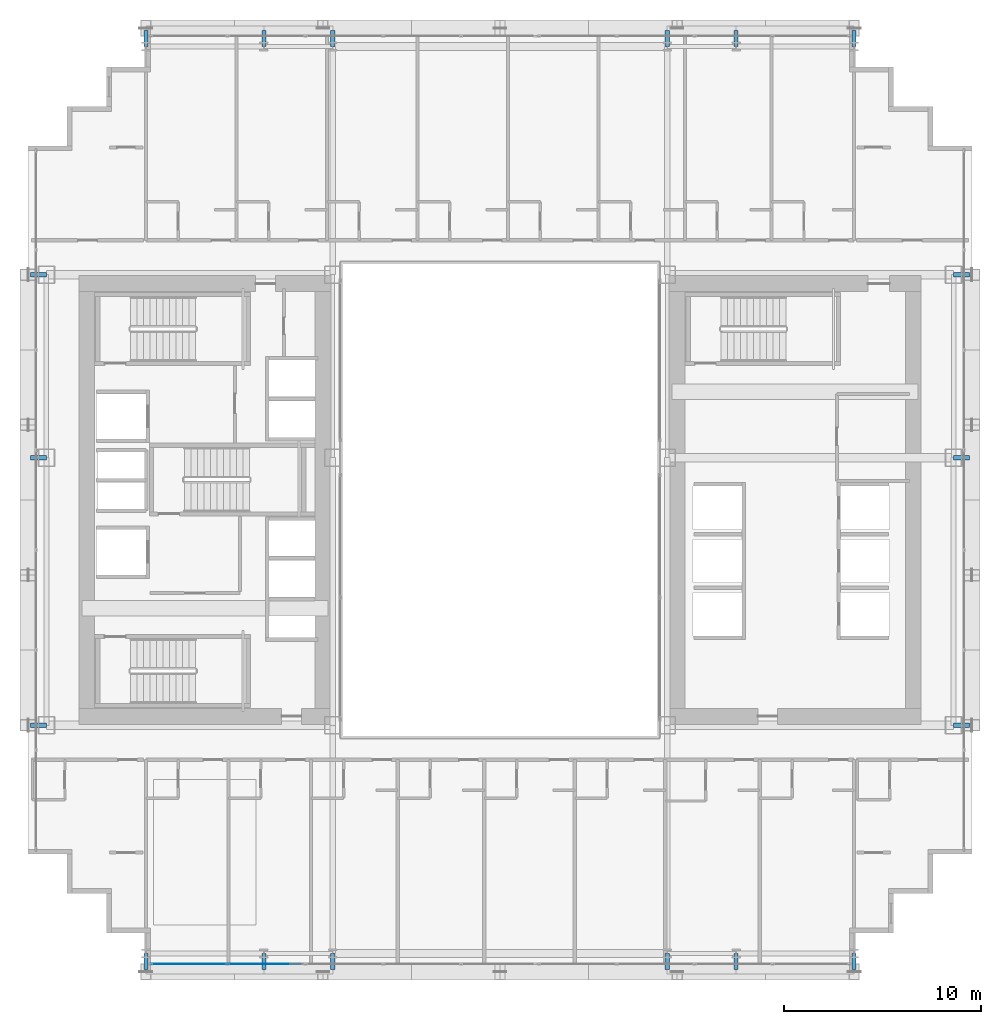
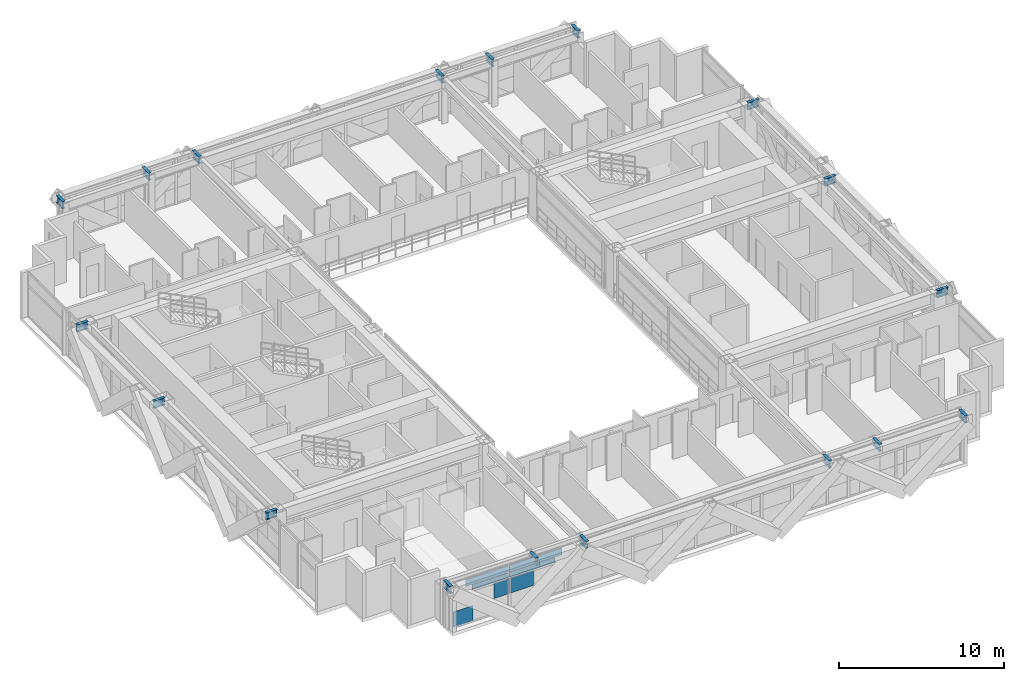
# One storey, part 26 of 41: 18 beams, 7 plates, 1 element without a shape of its own.
"""IFC4 building model written with IfcOpenShell, lengths in metres."""

from ifc_helpers import new_model, si_unit, direction, frame, origin, origin_2d, place, context, subcontext, project, spatial, rectangle, i_section, extrude, source, transform, mapped, material, layer, layer_set, material_profile, profile_set, type_object, element, aggregate, save


model = new_model("IFC4")

# Units and contexts
model_context = context("Model", 3, precision=1e-05, world=origin(), true_north=direction((0.0, 1.0)))
body_context = subcontext(model_context, "Body", "Model", "MODEL_VIEW")
ifc_project = project(units=[si_unit("LENGTHUNIT", "METRE"), si_unit("AREAUNIT", "SQUARE_METRE"), si_unit("VOLUMEUNIT", "CUBIC_METRE"), si_unit("PLANEANGLEUNIT", "RADIAN"), si_unit("MASSUNIT", "GRAM", prefix="KILO")], contexts=[model_context])

# Site, building, storey
site_placement = place(None, origin())
site = spatial("IfcSite", under=ifc_project, at=site_placement, CompositionType="ELEMENT")
building_placement = place(site_placement, origin())
building = spatial("IfcBuilding", under=site, at=building_placement, Name="Ocotamira Hotel", CompositionType="ELEMENT")
storey_placement = place(building_placement, frame((0.0, 0.0, 38.39990234375)))
storey = spatial("IfcBuildingStorey", under=building, at=storey_placement, Name="L08", CompositionType="ELEMENT", Elevation=38.39990234375)

# Beams
ifc_material_1 = material(Name="Steel ASTM A992 Grade 50", Category="steel")
ifc_material_profile = material_profile(ifc_material_1, i_section(OverallWidth=0.2099609375, OverallDepth=0.537109375, WebThickness=0.010986328125, FlangeThickness=0.017333984375, FilletRadius=0.012939453125, at=origin_2d()), Name="W21X68")
ifc_profile_set = profile_set([ifc_material_profile], Name="Steel ASTM A992 Grade 50")
beam_type = type_object("IfcBeamType", Name="BM-SEC-W21X68", PredefinedType="JOIST", material=ifc_profile_set)
shared_shape_1 = source(origin(), body_context, "Body", "SweptSolid", [
    extrude(i_section(OverallWidth=0.2099609375, OverallDepth=0.537109375, WebThickness=0.010986328125, FlangeThickness=0.017333984375, FilletRadius=0.012939453125, at=origin_2d()), origin(), (0.0, 0.0, 1.0), 0.800048828125),
])
for number, where, z_axis, x_axis, name in (
    (1, (14.0, 2.949951171875, 3.08154296875), (0.0, -1.0, 0.0), (1.0, 0.0, 0.0), "L08 South Edge Header X14"),
    (2, (14.0, 49.050048828125, 3.08154296875), (0.0, 1.0, 0.0), (-1.0, 0.0, 0.0), "L08 North Edge Header X14"),
    (3, (20.0, 2.949951171875, 3.08154296875), (0.0, -1.0, 0.0), (1.0, 0.0, 0.0), "L08 South Edge Header X20"),
    (4, (20.0, 49.050048828125, 3.08154296875), (0.0, 1.0, 0.0), (-1.0, 0.0, 0.0), "L08 North Edge Header X20"),
    (5, (23.5, 2.949951171875, 3.08154296875), (0.0, -1.0, 0.0), (1.0, 0.0, 0.0), "L08 South Edge Header X23.5"),
    (6, (23.5, 49.050048828125, 3.08154296875), (0.0, 1.0, 0.0), (-1.0, 0.0, 0.0), "L08 North Edge Header X23.5"),
    (7, (40.5, 2.949951171875, 3.08154296875), (0.0, -1.0, 0.0), (1.0, 0.0, 0.0), "L08 South Edge Header X40.5"),
    (8, (40.5, 49.050048828125, 3.08154296875), (0.0, 1.0, 0.0), (-1.0, 0.0, 0.0), "L08 North Edge Header X40.5"),
    (9, (44.0, 2.949951171875, 3.08154296875), (0.0, -1.0, 0.0), (1.0, 0.0, 0.0), "L08 South Edge Header X44"),
    (10, (44.0, 49.050048828125, 3.08154296875), (0.0, 1.0, 0.0), (-1.0, 0.0, 0.0), "L08 North Edge Header X44"),
    (11, (50.0, 2.949951171875, 3.08154296875), (0.0, -1.0, 0.0), (1.0, 0.0, 0.0), "L08 South Edge Header X50"),
    (12, (50.0, 49.050048828125, 3.08154296875), (0.0, 1.0, 0.0), (-1.0, 0.0, 0.0), "L08 North Edge Header X50"),
    (13, (8.949951171875, 14.550048828125, 3.08154296875), (-1.0, 0.0, 0.0), (0.0, -1.0, 0.0), "L08 West Edge Header Y14.55"),
    (14, (55.050048828125, 14.550048828125, 3.08154296875), (1.0, 0.0, 0.0), (0.0, 1.0, 0.0), "L08 East Edge Header Y14.55"),
    (15, (8.949951171875, 28.14990234375, 3.08154296875), (-1.0, 0.0, 0.0), (0.0, -1.0, 0.0), "L08 West Edge Header Y28.15"),
    (16, (55.050048828125, 28.14990234375, 3.08154296875), (1.0, 0.0, 0.0), (0.0, 1.0, 0.0), "L08 East Edge Header Y28.15"),
    (17, (8.949951171875, 37.449951171875, 3.08154296875), (-1.0, 0.0, 0.0), (0.0, -1.0, 0.0), "L08 West Edge Header Y37.45"),
    (18, (55.050048828125, 37.449951171875, 3.08154296875), (1.0, 0.0, 0.0), (0.0, 1.0, 0.0), "L08 East Edge Header Y37.45"),
):
    element("IfcBeam", number, at=place(storey_placement, frame(where, z_axis=z_axis, x_axis=x_axis)), inside=storey, type_object=beam_type, Name=name, PredefinedType="JOIST", context=body_context, shape_type="MappedRepresentation", body=[
        mapped(shared_shape_1, transform((0.0, 0.0, 0.0), scale=1.0)),
    ])

# Curtain wall, plates
ifc_material_2 = material(Name="Anodised pale-metal aluminium and solar glass", Category="aluminium")
ifc_layer_1 = layer(ifc_material_2, 0.179931640625)
ifc_layer_set_1 = layer_set([ifc_layer_1], Name="Anodised pale-metal aluminium and solar glass")
curtain_wall_type = type_object("IfcCurtainWallType", Name="CW-SYS2-Z1", PredefinedType="NOTDEFINED", material=ifc_layer_set_1)
curtain_wall_placement = place(storey_placement, origin())
curtain_wall = element("IfcCurtainWall", 19, at=curtain_wall_placement, inside=storey, type_object=curtain_wall_type, Name="L08 Curtain Wall CW-2 CW-L08-S1", PredefinedType="NOTDEFINED")
ifc_material_3 = material(Name="Double-silver low-E insulated solar glass", Category="glass")
ifc_layer_2 = layer(ifc_material_3, 0.031982421875)
ifc_layer_set_2 = layer_set([ifc_layer_2], Name="Double-silver low-E insulated solar glass")
plate_type = type_object("IfcPlateType", Name="CWP-VISION-32", PredefinedType="CURTAIN_PANEL", material=ifc_layer_set_2)
shared_shape_2 = source(origin(), body_context, "Body", "SweptSolid", [
    extrude(rectangle(XDim=1.382568359375, YDim=0.031982421875, at=origin_2d()), origin(), (0.0, 0.0, 1.0), 1.11865234375),
])
plate_1_placement = place(storey_placement, frame((14.97119140625, 2.419921875, 0.0751953125), z_axis=(0.0, 0.0, 1.0), x_axis=(1.0, 0.0, 0.0)))
plate_1 = element("IfcPlate", 20, at=plate_1_placement, type_object=plate_type, Name="CW-2 panel 1.1.1", PredefinedType="CURTAIN_PANEL", context=body_context, shape_type="MappedRepresentation", body=[
    mapped(shared_shape_2, transform((0.0, 0.0, 0.0), scale=1.0)),
])
shared_shape_3 = source(origin(), body_context, "Body", "SweptSolid", [
    extrude(rectangle(XDim=1.012451171875, YDim=0.031982421875, at=origin_2d()), origin(), (0.0, 0.0, 1.0), 1.11865234375),
])
plate_2_placement = place(storey_placement, frame((17.609375, 2.419921875, 1.19384765625), z_axis=(0.0, 0.0, 1.0), x_axis=(1.0, 0.0, 0.0)))
plate_2 = element("IfcPlate", 21, at=plate_2_placement, type_object=plate_type, Name="CW-2 panel 1.1.2", PredefinedType="CURTAIN_PANEL", context=body_context, shape_type="MappedRepresentation", body=[
    mapped(shared_shape_3, transform((0.0, 0.0, 0.0), scale=1.0)),
])
shared_shape_4 = source(origin(), body_context, "Body", "SweptSolid", [
    extrude(rectangle(XDim=2.9755859375, YDim=0.031982421875, at=origin_2d()), origin(), (0.0, 0.0, 1.0), 0.5107421875),
])
plate_3_placement = place(storey_placement, frame((16.627685546875, 2.419921875, 2.764404296875), z_axis=(0.0, 0.0, 1.0), x_axis=(1.0, 0.0, 0.0)))
plate_3 = element("IfcPlate", 22, at=plate_3_placement, type_object=plate_type, Name="CW-2 panel 1.2.1", PredefinedType="CURTAIN_PANEL", context=body_context, shape_type="MappedRepresentation", body=[
    mapped(shared_shape_4, transform((0.0, 0.0, 0.0), scale=1.0)),
])
shared_shape_5 = source(origin(), body_context, "Body", "SweptSolid", [
    extrude(rectangle(XDim=2.504638671875, YDim=0.031982421875, at=origin_2d()), origin(), (0.0, 0.0, 1.0), 0.345458984375),
])
plate_4_placement = place(storey_placement, frame((16.86328125, 2.419921875, 2.3876953125), z_axis=(0.0, 0.0, 1.0), x_axis=(1.0, 0.0, 0.0)))
plate_4 = element("IfcPlate", 23, at=plate_4_placement, type_object=plate_type, Name="CW-2 panel 1.2.2", PredefinedType="CURTAIN_PANEL", context=body_context, shape_type="MappedRepresentation", body=[
    mapped(shared_shape_5, transform((0.0, 0.0, 0.0), scale=1.0)),
])
shared_shape_6 = source(origin(), body_context, "Body", "SweptSolid", [
    extrude(rectangle(XDim=1.701416015625, YDim=0.031982421875, at=origin_2d()), origin(), (0.0, 0.0, 1.0), 1.11865234375),
])
plate_5_placement = place(storey_placement, frame((19.046142578125, 2.419921875, 1.19384765625), z_axis=(0.0, 0.0, 1.0), x_axis=(1.0, 0.0, 0.0)))
plate_5 = element("IfcPlate", 24, at=plate_5_placement, type_object=plate_type, Name="CW-2 panel 2.1.1", PredefinedType="CURTAIN_PANEL", context=body_context, shape_type="MappedRepresentation", body=[
    mapped(shared_shape_6, transform((0.0, 0.0, 0.0), scale=1.0)),
])
shared_shape_7 = source(origin(), body_context, "Body", "SweptSolid", [
    extrude(rectangle(XDim=3.193603515625, YDim=0.031982421875, at=origin_2d()), origin(), (0.0, 0.0, 1.0), 0.376708984375),
])
plate_6_placement = place(storey_placement, frame((19.792236328125, 2.419921875, 2.3876953125), z_axis=(0.0, 0.0, 1.0), x_axis=(1.0, 0.0, 0.0)))
plate_6 = element("IfcPlate", 25, at=plate_6_placement, type_object=plate_type, Name="CW-2 panel 2.2.1", PredefinedType="CURTAIN_PANEL", context=body_context, shape_type="MappedRepresentation", body=[
    mapped(shared_shape_7, transform((0.0, 0.0, 0.0), scale=1.0)),
])
shared_shape_8 = source(origin(), body_context, "Body", "SweptSolid", [
    extrude(rectangle(XDim=3.664306640625, YDim=0.031982421875, at=origin_2d()), origin(), (0.0, 0.0, 1.0), 0.5107421875),
])
plate_7_placement = place(storey_placement, frame((20.027587890625, 2.419921875, 2.764404296875), z_axis=(0.0, 0.0, 1.0), x_axis=(1.0, 0.0, 0.0)))
plate_7 = element("IfcPlate", 26, at=plate_7_placement, type_object=plate_type, Name="CW-2 panel 2.2.2", PredefinedType="CURTAIN_PANEL", context=body_context, shape_type="MappedRepresentation", body=[
    mapped(shared_shape_8, transform((0.0, 0.0, 0.0), scale=1.0)),
])
aggregate(curtain_wall, [plate_1, plate_2, plate_3, plate_4, plate_5, plate_6, plate_7])

save(model, "model.ifc")
